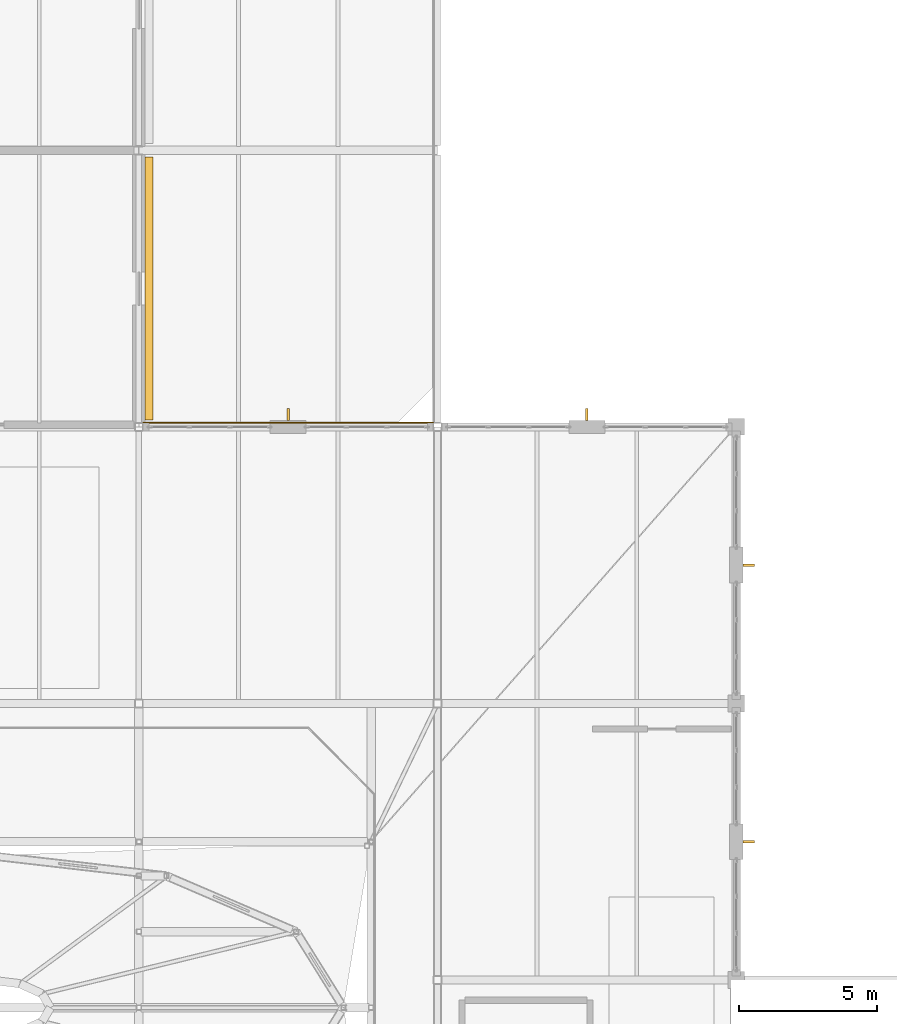
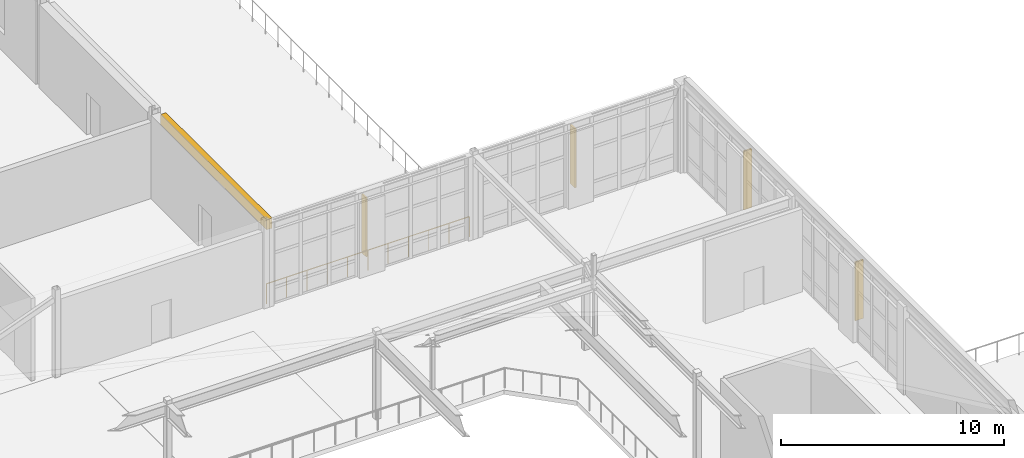
# One storey, part 83 of 86: 4 shading devices, 1 covering, 1 railing.
"""IFC4 building model written with IfcOpenShell, lengths in metres."""

from ifc_helpers import new_model, si_unit, direction, frame, origin, origin_2d, place, context, subcontext, project, spatial, rectangle, circle, extrude, material, layer, layer_set, type_object, element, save


model = new_model("IFC4")

# Units and contexts
model_context = context("Model", 3, precision=1e-05, world=origin(), true_north=direction((0.0, 1.0)))
body_context = subcontext(model_context, "Body", "Model", "MODEL_VIEW")
ifc_project = project(units=[si_unit("LENGTHUNIT", "METRE"), si_unit("AREAUNIT", "SQUARE_METRE"), si_unit("VOLUMEUNIT", "CUBIC_METRE"), si_unit("PLANEANGLEUNIT", "RADIAN"), si_unit("MASSUNIT", "GRAM", prefix="KILO")], contexts=[model_context])

# Site, building, storey
site_placement = place(None, origin())
site = spatial("IfcSite", under=ifc_project, at=site_placement, CompositionType="ELEMENT")
building_placement = place(site_placement, origin())
building = spatial("IfcBuilding", under=site, at=building_placement, Name="Tasgan Crest Museum", CompositionType="ELEMENT")
storey_placement = place(building_placement, frame((0.0, 0.0, 24.0)))
storey = spatial("IfcBuildingStorey", under=building, at=storey_placement, Name="L04", CompositionType="ELEMENT", Elevation=24.0)

# Covering
ifc_material_1 = material(Name="Honed Buff Limestone", Category="masonry")
ifc_layer = layer(ifc_material_1, 0.044921875, Name="COV-LIMESTONE-BUFF")
ifc_layer_set = layer_set([ifc_layer], Name="Honed Buff Limestone")
covering_type = type_object("IfcCoveringType", Name="COV-LIMESTONE-BUFF", PredefinedType="CLADDING", material=ifc_layer_set)
covering_placement = place(storey_placement, frame((86.764892578125, 87.0, 3.9599609375), z_axis=(0.0, 0.0, 1.0), x_axis=(0.0, 1.0, 0.0)))
element("IfcCovering", 1, at=covering_placement, inside=storey, type_object=covering_type, Name="Stone frieze cladding L04", PredefinedType="CLADDING", context=body_context, shape_type="SweptSolid", body=[
    extrude(rectangle(XDim=9.510009765625, YDim=0.280029296875, at=origin_2d()), origin(), (0.0, 0.0, 1.0), 0.550048828125),
])

# Railing
ifc_material_2 = material(Name="Painted Galvanised Steel", Category="steel")
railing_type = type_object("IfcRailingType", Name="RL-TERR-GUARD-1120", PredefinedType="GUARDRAIL", material=ifc_material_2)
railing_placement = place(storey_placement, frame((86.550048828125, 82.14990234375, 0.0)))
element("IfcRailing", 2, at=railing_placement, inside=storey, type_object=railing_type, Name="Terrace guardrail L04 TR-NORTH-S", PredefinedType="GUARDRAIL", context=body_context, shape_type="SweptSolid", body=[
    extrude(circle(Radius=0.02392578125, at=origin_2d()), frame((0.0, 0.0, 1.09619140625), z_axis=(1.0, 0.0, 0.0), x_axis=(0.0, 1.0, 0.0)), (0.0, 0.0, 1.0), 10.5),
    extrude(circle(Radius=0.02099609375, at=origin_2d()), origin(), (0.0, 0.0, 1.0), 1.072021484375),
    extrude(circle(Radius=0.02099609375, at=origin_2d()), frame((1.050048828125, 0.0, 0.0)), (0.0, 0.0, 1.0), 1.072021484375),
    extrude(circle(Radius=0.02099609375, at=origin_2d()), frame((2.10009765625, 0.0, 0.0)), (0.0, 0.0, 1.0), 1.072021484375),
    extrude(circle(Radius=0.02099609375, at=origin_2d()), frame((3.14990234375, 0.0, 0.0)), (0.0, 0.0, 1.0), 1.072021484375),
    extrude(circle(Radius=0.02099609375, at=origin_2d()), frame((4.199951171875, 0.0, 0.0)), (0.0, 0.0, 1.0), 1.072021484375),
    extrude(circle(Radius=0.02099609375, at=origin_2d()), frame((5.25, 0.0, 0.0)), (0.0, 0.0, 1.0), 1.072021484375),
    extrude(circle(Radius=0.02099609375, at=origin_2d()), frame((6.300048828125, 0.0, 0.0)), (0.0, 0.0, 1.0), 1.072021484375),
    extrude(circle(Radius=0.02099609375, at=origin_2d()), frame((7.35009765625, 0.0, 0.0)), (0.0, 0.0, 1.0), 1.072021484375),
    extrude(circle(Radius=0.02099609375, at=origin_2d()), frame((8.39990234375, 0.0, 0.0)), (0.0, 0.0, 1.0), 1.072021484375),
    extrude(circle(Radius=0.02099609375, at=origin_2d()), frame((9.449951171875, 0.0, 0.0)), (0.0, 0.0, 1.0), 1.072021484375),
    extrude(circle(Radius=0.02099609375, at=origin_2d()), frame((10.5, 0.0, 0.0)), (0.0, 0.0, 1.0), 1.072021484375),
])

# Shading devices
ifc_material_3 = material(Name="Anodised Bronze Aluminium", Category="aluminium")
shading_device_type = type_object("IfcShadingDeviceType", Name="SH-FIN-V400", PredefinedType="JALOUSIE", material=ifc_material_3)
for number, where, z_axis, x_axis, name in (
    (3, (102.60009765625, 82.449951171875, 0.68017578125), (0.0, 0.0, 1.0), (-1.0, 0.0, 0.0), "Facade pier solar fin L04"),
    (4, (91.800048828125, 82.449951171875, 0.68017578125), (0.0, 0.0, 1.0), (-1.0, 0.0, 0.0), "Facade pier solar fin L04"),
    (5, (108.449951171875, 67.0, 0.68017578125), (0.0, 0.0, 1.0), (0.0, 1.0, 0.0), "Facade pier solar fin L04"),
    (6, (108.449951171875, 77.0, 0.68017578125), (0.0, 0.0, 1.0), (0.0, 1.0, 0.0), "Facade pier solar fin L04"),
):
    element("IfcShadingDevice", number, at=place(storey_placement, frame(where, z_axis=z_axis, x_axis=x_axis)), inside=storey, type_object=shading_device_type, Name=name, PredefinedType="JALOUSIE", context=body_context, shape_type="SweptSolid", body=[
        extrude(rectangle(XDim=0.080078125, YDim=0.419921875, at=origin_2d()), origin(), (0.0, 0.0, 1.0), 3.199951171875),
    ])

save(model, "model.ifc")
